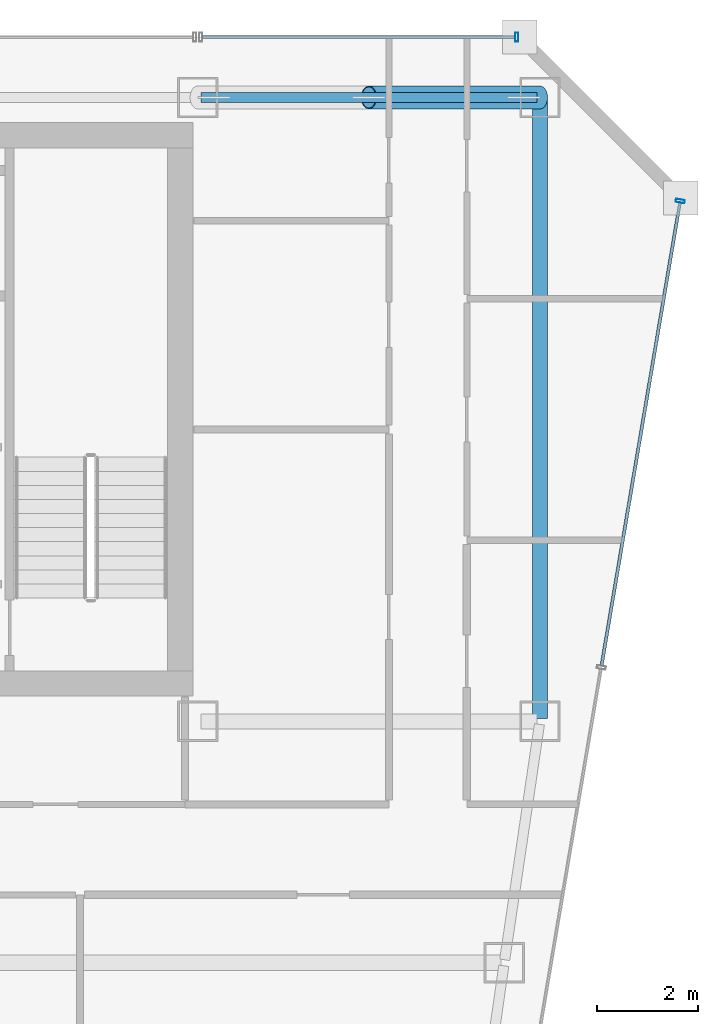
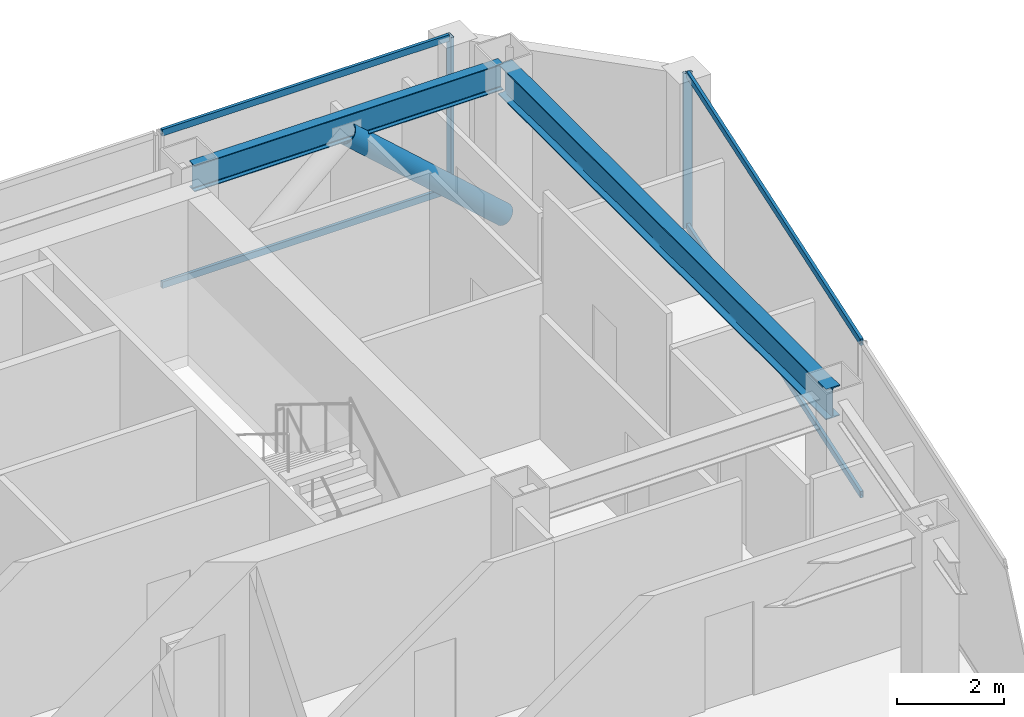
# One storey, part 27 of 35: 7 members, 2 beams, 2 elements without a shape of their own.
"""IFC4 building model written with IfcOpenShell, lengths in metres."""

from ifc_helpers import new_model, si_unit, direction, frame, origin, origin_2d, place, context, subcontext, project, spatial, hollow_rectangle, hollow_circle, i_section, extrude, material, material_profile, profile_set, type_object, element, aggregate, save


model = new_model("IFC4")

# Units and contexts
model_context = context("Model", 3, precision=1e-05, world=origin(), true_north=direction((0.0, 1.0)))
body_context = subcontext(model_context, "Body", "Model", "MODEL_VIEW")
ifc_project = project(units=[si_unit("LENGTHUNIT", "METRE"), si_unit("AREAUNIT", "SQUARE_METRE"), si_unit("VOLUMEUNIT", "CUBIC_METRE"), si_unit("PLANEANGLEUNIT", "RADIAN"), si_unit("MASSUNIT", "GRAM", prefix="KILO")], contexts=[model_context])

# Site, building, storey
site_placement = place(None, origin())
site = spatial("IfcSite", under=ifc_project, at=site_placement, CompositionType="ELEMENT")
building_placement = place(site_placement, origin())
building = spatial("IfcBuilding", under=site, at=building_placement, Name="Saevonmaru Cultural Tower", CompositionType="ELEMENT")
storey_placement = place(building_placement, frame((0.0, 0.0, 217.0)))
storey = spatial("IfcBuildingStorey", under=building, at=storey_placement, Name="L50", CompositionType="ELEMENT", Elevation=217.0)

# Beams
ifc_material_1 = material(Name="Steel SM355", Category="steel")
ifc_material_profile_1 = material_profile(ifc_material_1, i_section(OverallWidth=0.300048828125, OverallDepth=0.699951171875, WebThickness=0.012939453125, FlangeThickness=0.02392578125, FilletRadius=0.02587890625, at=origin_2d()), Name="H-700x300x13x24")
ifc_profile_set_1 = profile_set([ifc_material_profile_1], Name="Steel SM355")
beam_type_1 = type_object("IfcBeamType", Name="BM-G-H700", PredefinedType="BEAM", material=ifc_profile_set_1)
beam_1_placement = place(storey_placement, frame((53.199951171875, 54.739990234375, 3.199951171875), z_axis=(0.0, -1.0, 0.0), x_axis=(1.0, 0.0, 0.0)))
element("IfcBeam", 1, at=beam_1_placement, inside=storey, type_object=beam_type_1, Name="L50 Spine Transverse Girder E", PredefinedType="BEAM", context=body_context, shape_type="SweptSolid", body=[
    extrude(i_section(OverallWidth=0.300048828125, OverallDepth=0.699951171875, WebThickness=0.012939453125, FlangeThickness=0.02392578125, FilletRadius=0.02587890625, at=origin_2d()), origin(), (0.0, 0.0, 1.0), 12.280029296875),
])
ifc_material_profile_2 = material_profile(ifc_material_1, i_section(OverallWidth=0.199951171875, OverallDepth=0.60009765625, WebThickness=0.010986328125, FlangeThickness=0.01708984375, FilletRadius=0.02197265625, at=origin_2d()), Name="H-600x200x11x17")
ifc_profile_set_2 = profile_set([ifc_material_profile_2], Name="Steel SM355")
beam_type_2 = type_object("IfcBeamType", Name="BM-SP-H600", PredefinedType="SPANDREL", material=ifc_profile_set_2)
beam_2_placement = place(storey_placement, frame((46.4599609375, 54.800048828125, 3.25), z_axis=(1.0, 0.0, 0.0), x_axis=(0.0, 1.0, 0.0)))
element("IfcBeam", 2, at=beam_2_placement, inside=storey, type_object=beam_type_2, Name="L50 North Spine Girder 5", PredefinedType="SPANDREL", context=body_context, shape_type="SweptSolid", body=[
    extrude(i_section(OverallWidth=0.199951171875, OverallDepth=0.60009765625, WebThickness=0.010986328125, FlangeThickness=0.01708984375, FilletRadius=0.02197265625, at=origin_2d()), origin(), (0.0, 0.0, 1.0), 6.679931640625),
])

# Member
ifc_material_2 = material(Name="Steel SM420", Category="steel")
ifc_material_profile_3 = material_profile(ifc_material_2, hollow_circle(Radius=0.228515625, WallThickness=0.02001953125, at=origin_2d()), Name="CHS-457.2x20")
ifc_profile_set_3 = profile_set([ifc_material_profile_3], Name="Steel SM420")
member_type_1 = type_object("IfcMemberType", Name="MB-PBR-CHS457", PredefinedType="BRACE", material=ifc_profile_set_3)
member_1_placement = place(storey_placement, frame((53.199951171875, 54.800048828125, 0.02001953125), z_axis=(-0.744366945704, 0.0, 0.667770806597), x_axis=(0.0, -1.0, 0.0)))
element("IfcMember", 3, at=member_1_placement, inside=storey, type_object=member_type_1, Name="L50 Perimeter Braced-Tube Diagonal EN2", PredefinedType="BRACE", context=body_context, shape_type="SweptSolid", body=[
    extrude(hollow_circle(Radius=0.228515625, WallThickness=0.02001953125, at=origin_2d()), origin(), (0.0, 0.0, 1.0), 4.567626953125),
])

# Curtain wall, member
ifc_material_3 = material(Name="Satin Bronze Anodised Aluminium", Category="aluminium")
curtain_wall_type = type_object("IfcCurtainWallType", Name="CW-TYP-B", PredefinedType="NOTDEFINED", material=ifc_material_3)
curtain_wall_1_placement = place(storey_placement, origin())
curtain_wall_1 = element("IfcCurtainWall", 4, at=curtain_wall_1_placement, inside=storey, type_object=curtain_wall_type, Name="L50 Unitised Curtain Wall E8", PredefinedType="NOTDEFINED")
ifc_material_profile_4 = material_profile(ifc_material_3, hollow_rectangle(XDim=0.06494140625, YDim=0.179931640625, WallThickness=0.00390625, at=origin_2d()), Name="ALU-MULL-180x65x4")
ifc_profile_set_4 = profile_set([ifc_material_profile_4], Name="Satin Bronze Anodised Aluminium")
member_type_2 = type_object("IfcMemberType", Name="ML-CW-180x65", PredefinedType="MULLION", material=ifc_profile_set_4)
member_2_placement = place(storey_placement, frame((55.989990234375, 52.74072265625, 0.0), z_axis=(0.0, 0.0, 1.0), x_axis=(0.16692169721, 0.985970155228, 0.0)))
member_2 = element("IfcMember", 5, at=member_2_placement, type_object=member_type_2, Name="CW-TW-L50-E8 mullion 5", PredefinedType="MULLION", context=body_context, shape_type="SweptSolid", body=[
    extrude(hollow_rectangle(XDim=0.06494140625, YDim=0.179931640625, WallThickness=0.00390625, at=origin_2d()), origin(), (0.0, 0.0, 1.0), 3.550048828125),
])

curtain_wall_2_placement = place(storey_placement, origin())
curtain_wall_2 = element("IfcCurtainWall", 6, at=curtain_wall_2_placement, inside=storey, type_object=curtain_wall_type, Name="L50 East Braced Bay Spandrel Curtain Wall E10A", PredefinedType="NOTDEFINED")
member_3_placement = place(storey_placement, frame((52.739990234375, 56.0, 0.0), z_axis=(0.0, 0.0, 1.0), x_axis=(-1.0, 0.0, 0.0)))
member_3 = element("IfcMember", 7, at=member_3_placement, type_object=member_type_2, Name="CW-TW-L50-E10A mullion 1", PredefinedType="MULLION", context=body_context, shape_type="SweptSolid", body=[
    extrude(hollow_rectangle(XDim=0.06494140625, YDim=0.179931640625, WallThickness=0.00390625, at=origin_2d()), origin(), (0.0, 0.0, 1.0), 3.550048828125),
])

# Member
ifc_material_profile_5 = material_profile(ifc_material_3, hollow_rectangle(XDim=0.06494140625, YDim=0.14990234375, WallThickness=0.00390625, at=origin_2d()), Name="ALU-TRAN-150x65x4")
ifc_profile_set_5 = profile_set([ifc_material_profile_5], Name="Satin Bronze Anodised Aluminium")
member_type_3 = type_object("IfcMemberType", Name="TR-CW-150x65", PredefinedType="USERDEFINED", material=ifc_profile_set_5)
member_4_placement = place(storey_placement, frame((54.426025390625, 43.50244140625, 0.032470703125), z_axis=(0.166921263871, 0.985970228591, 0.0), x_axis=(-0.985970228591, 0.166921263871, 0.0)))
member_4 = element("IfcMember", 8, at=member_4_placement, type_object=member_type_3, Name="CW-TW-L50-E8 transom 4.1", ObjectType="TRANSOM", PredefinedType="USERDEFINED", context=body_context, shape_type="SweptSolid", body=[
    extrude(hollow_rectangle(XDim=0.06494140625, YDim=0.14990234375, WallThickness=0.00390625, at=origin_2d()), origin(), (0.0, 0.0, 1.0), 9.33740234375),
])

member_5_placement = place(storey_placement, frame((54.426025390625, 43.50244140625, 3.517578125), z_axis=(0.166921263871, 0.985970228591, 0.0), x_axis=(-0.985970228591, 0.166921263871, 0.0)))
member_5 = element("IfcMember", 9, at=member_5_placement, type_object=member_type_3, Name="CW-TW-L50-E8 transom 4.2", ObjectType="TRANSOM", PredefinedType="USERDEFINED", context=body_context, shape_type="SweptSolid", body=[
    extrude(hollow_rectangle(XDim=0.06494140625, YDim=0.14990234375, WallThickness=0.00390625, at=origin_2d()), origin(), (0.0, 0.0, 1.0), 9.33740234375),
])

aggregate(curtain_wall_1, [member_2, member_4, member_5])

member_6_placement = place(storey_placement, frame((52.70751953125, 56.0, 0.032470703125), z_axis=(-1.0, 0.0, 0.0), x_axis=(0.0, -1.0, 0.0)))
member_6 = element("IfcMember", 10, at=member_6_placement, type_object=member_type_3, Name="CW-TW-L50-E10A transom 1.1", ObjectType="TRANSOM", PredefinedType="USERDEFINED", context=body_context, shape_type="SweptSolid", body=[
    extrude(hollow_rectangle(XDim=0.06494140625, YDim=0.14990234375, WallThickness=0.00390625, at=origin_2d()), origin(), (0.0, 0.0, 1.0), 6.215087890625),
])

member_7_placement = place(storey_placement, frame((52.70751953125, 56.0, 3.517578125), z_axis=(-1.0, 0.0, 0.0), x_axis=(0.0, -1.0, 0.0)))
member_7 = element("IfcMember", 11, at=member_7_placement, type_object=member_type_3, Name="CW-TW-L50-E10A transom 1.2", ObjectType="TRANSOM", PredefinedType="USERDEFINED", context=body_context, shape_type="SweptSolid", body=[
    extrude(hollow_rectangle(XDim=0.06494140625, YDim=0.14990234375, WallThickness=0.00390625, at=origin_2d()), origin(), (0.0, 0.0, 1.0), 6.215087890625),
])

aggregate(curtain_wall_2, [member_3, member_6, member_7])

save(model, "model.ifc")
